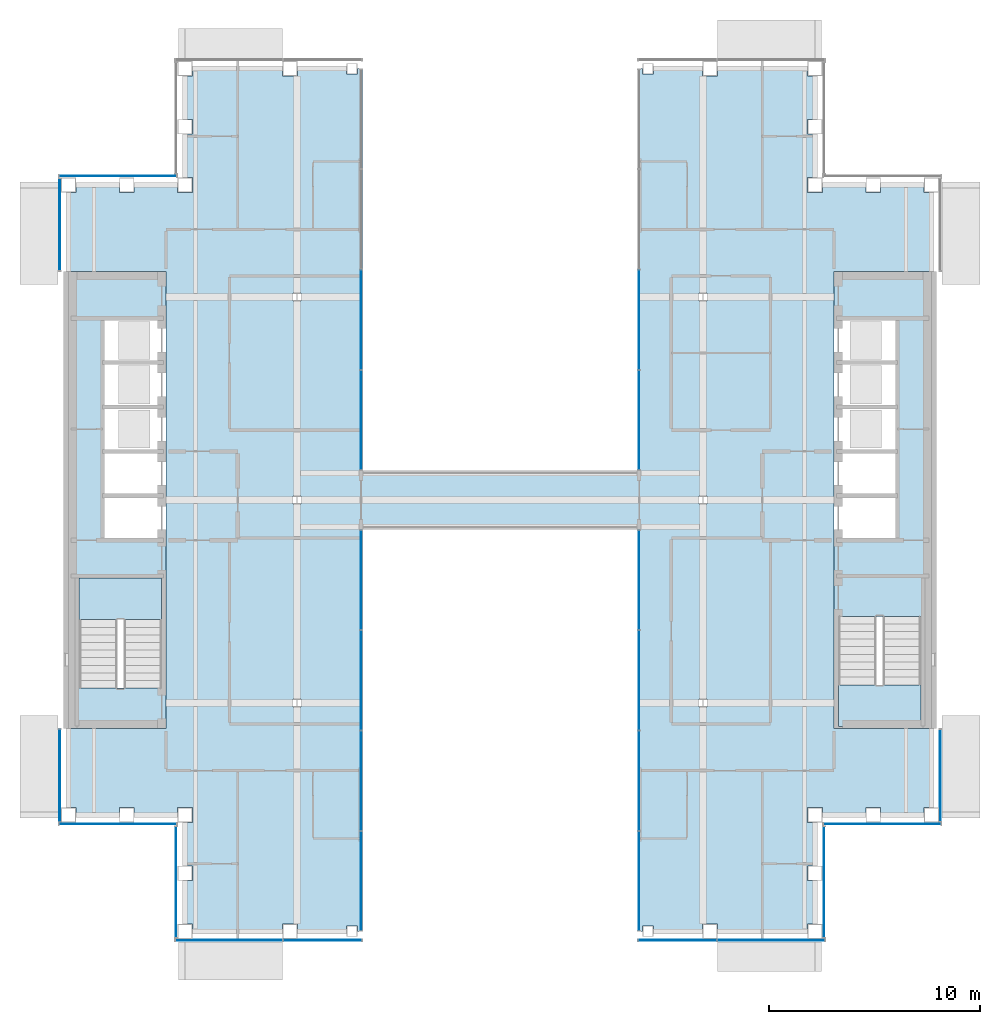
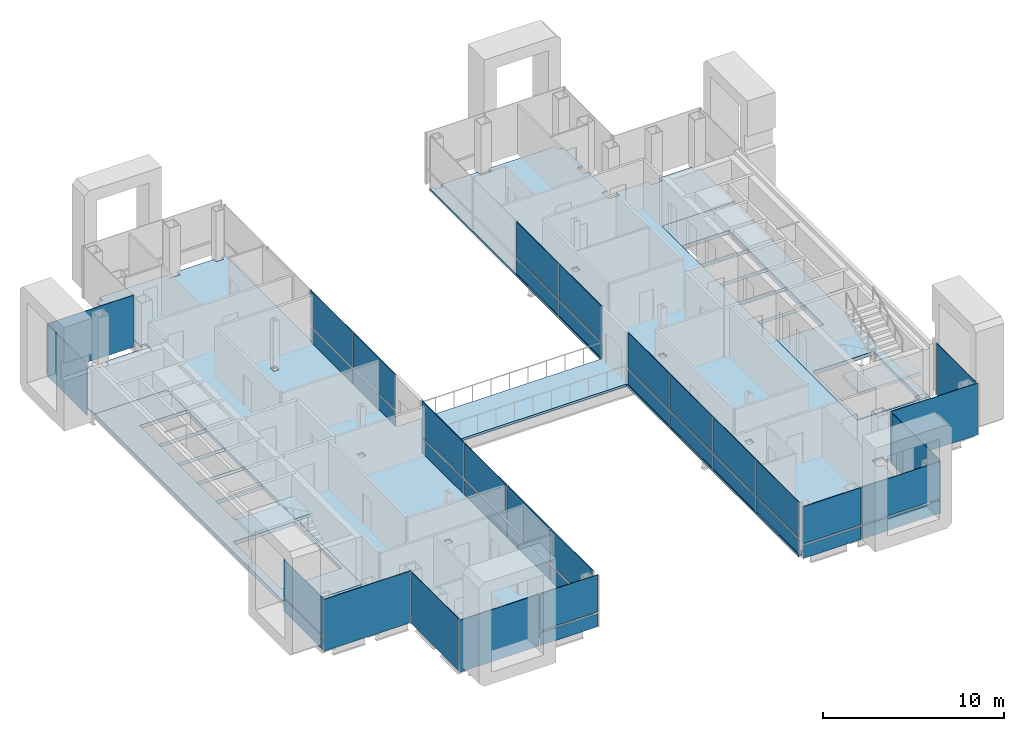
# One storey, part 9 of 17: 40 plates, 5 slabs, 16 elements without a shape of their own.
"""IFC4 building model written with IfcOpenShell, lengths in metres."""

from ifc_helpers import new_model, si_unit, direction, frame, origin, origin_2d, place, context, subcontext, project, spatial, polyline, rectangle, outline, extrude, material, layer, layer_set, type_object, element, aggregate, save


model = new_model("IFC4")

# Units and contexts
model_context = context("Model", 3, precision=1e-05, world=origin(), true_north=direction((0.0, 1.0)))
body_context = subcontext(model_context, "Body", "Model", "MODEL_VIEW")
ifc_project = project(units=[si_unit("LENGTHUNIT", "METRE"), si_unit("AREAUNIT", "SQUARE_METRE"), si_unit("VOLUMEUNIT", "CUBIC_METRE"), si_unit("PLANEANGLEUNIT", "RADIAN"), si_unit("MASSUNIT", "GRAM", prefix="KILO")], contexts=[model_context])

# Site, building, storey
site_placement = place(None, origin())
site = spatial("IfcSite", under=ifc_project, at=site_placement, CompositionType="ELEMENT")
building_placement = place(site_placement, origin())
building = spatial("IfcBuilding", under=site, at=building_placement, Name="Cobrizo Arcos Hotel Tower", CompositionType="ELEMENT")
storey_placement = place(building_placement, frame((0.0, 0.0, 226.0)))
storey = spatial("IfcBuildingStorey", under=building, at=storey_placement, Name="L59", CompositionType="ELEMENT", Elevation=226.0)

# Curtain wall, plate
ifc_material_1 = material(Name="Aluminium 6063-T6 anodised bronze", Category="aluminium")
curtain_wall_type_1 = type_object("IfcCurtainWallType", Name="CW-A guest facade", PredefinedType="NOTDEFINED", material=ifc_material_1)
curtain_wall_1_placement = place(storey_placement, origin())
curtain_wall_1 = element("IfcCurtainWall", 1, at=curtain_wall_1_placement, inside=storey, type_object=curtain_wall_type_1, Name="CW-A L59 S face", PredefinedType="NOTDEFINED")
ifc_material_2 = material(Name="Glass clear laminated low-e", Category="glass")
ifc_layer_1 = layer(ifc_material_2, 0.0400390625)
ifc_layer_set_1 = layer_set([ifc_layer_1], Name="CW-A glass panel")
plate_type_1 = type_object("IfcPlateType", Name="CW-A glass panel", PredefinedType="CURTAIN_PANEL", material=ifc_layer_set_1)
plate_1_placement = place(storey_placement, frame((-8.3984375, -20.824951171875, 0.990234375), z_axis=(0.0, 0.0, 1.0), x_axis=(1.0, 0.0, 0.0)))
plate_1 = element("IfcPlate", 2, at=plate_1_placement, type_object=plate_type_1, Name="CW-A glass panel 1929", PredefinedType="CURTAIN_PANEL", context=body_context, shape_type="SweptSolid", body=[
    extrude(rectangle(XDim=3.6767578125, YDim=0.0400390625, at=origin_2d()), origin(), (0.0, 0.0, 1.0), 2.510009765625),
])

# Curtain wall, plates
curtain_wall_2_placement = place(storey_placement, origin())
curtain_wall_2 = element("IfcCurtainWall", 3, at=curtain_wall_2_placement, inside=storey, type_object=curtain_wall_type_1, Name="CW-A L59 S face", PredefinedType="NOTDEFINED")
plate_2_placement = place(storey_placement, frame((8.3984375, -20.824951171875, 0.990234375), z_axis=(0.0, 0.0, 1.0), x_axis=(1.0, 0.0, 0.0)))
plate_2 = element("IfcPlate", 4, at=plate_2_placement, type_object=plate_type_1, Name="CW-A glass panel 1930", PredefinedType="CURTAIN_PANEL", context=body_context, shape_type="SweptSolid", body=[
    extrude(rectangle(XDim=3.6767578125, YDim=0.0400390625, at=origin_2d()), origin(), (0.0, 0.0, 1.0), 2.510009765625),
])
plate_3_placement = place(storey_placement, frame((12.818359375, -20.824951171875, 0.990234375), z_axis=(0.0, 0.0, 1.0), x_axis=(1.0, 0.0, 0.0)))
plate_3 = element("IfcPlate", 5, at=plate_3_placement, type_object=plate_type_1, Name="CW-A glass panel 1931", PredefinedType="CURTAIN_PANEL", context=body_context, shape_type="SweptSolid", body=[
    extrude(rectangle(XDim=5.043212890625, YDim=0.0400390625, at=origin_2d()), origin(), (0.0, 0.0, 1.0), 2.510009765625),
])

# Curtain wall, plate
curtain_wall_3_placement = place(storey_placement, origin())
curtain_wall_3 = element("IfcCurtainWall", 6, at=curtain_wall_3_placement, inside=storey, type_object=curtain_wall_type_1, Name="CW-A L59 W face", PredefinedType="NOTDEFINED")
plate_4_placement = place(storey_placement, frame((-20.824951171875, -13.02490234375, 0.990234375), z_axis=(0.0, 0.0, 1.0), x_axis=(0.0, -1.0, 0.0)))
plate_4 = element("IfcPlate", 7, at=plate_4_placement, type_object=plate_type_1, Name="CW-A glass panel 1945", PredefinedType="CURTAIN_PANEL", context=body_context, shape_type="SweptSolid", body=[
    extrude(rectangle(XDim=4.330078125, YDim=0.0400390625, at=origin_2d()), origin(), (0.0, 0.0, 1.0), 2.510009765625),
])

# Plate
ifc_material_3 = material(Name="Aluminium composite panel pale metal", Category="aluminium")
ifc_layer_2 = layer(ifc_material_3, 0.0400390625)
ifc_layer_set_2 = layer_set([ifc_layer_2], Name="CW-A spandrel panel")
plate_type_2 = type_object("IfcPlateType", Name="CW-A spandrel panel", PredefinedType="CURTAIN_PANEL", material=ifc_layer_set_2)
plate_5_placement = place(storey_placement, frame((-12.818359375, -20.824951171875, 0.0), z_axis=(0.0, 0.0, 1.0), x_axis=(1.0, 0.0, 0.0)))
plate_5 = element("IfcPlate", 8, at=plate_5_placement, type_object=plate_type_2, Name="CW-A spandrel panel 1928", PredefinedType="CURTAIN_PANEL", context=body_context, shape_type="SweptSolid", body=[
    extrude(rectangle(XDim=5.043212890625, YDim=0.0400390625, at=origin_2d()), origin(), (0.0, 0.0, 1.0), 3.5),
])

plate_6_placement = place(storey_placement, frame((-8.3984375, -20.824951171875, 0.0), z_axis=(0.0, 0.0, 1.0), x_axis=(1.0, 0.0, 0.0)))
plate_6 = element("IfcPlate", 9, at=plate_6_placement, type_object=plate_type_2, Name="CW-A spandrel panel 1929", PredefinedType="CURTAIN_PANEL", context=body_context, shape_type="SweptSolid", body=[
    extrude(rectangle(XDim=3.6767578125, YDim=0.0400390625, at=origin_2d()), origin(), (0.0, 0.0, 1.0), 0.8701171875),
])

aggregate(curtain_wall_1, [plate_5, plate_6, plate_1])

plate_7_placement = place(storey_placement, frame((8.3984375, -20.824951171875, 0.0), z_axis=(0.0, 0.0, 1.0), x_axis=(1.0, 0.0, 0.0)))
plate_7 = element("IfcPlate", 10, at=plate_7_placement, type_object=plate_type_2, Name="CW-A spandrel panel 1930", PredefinedType="CURTAIN_PANEL", context=body_context, shape_type="SweptSolid", body=[
    extrude(rectangle(XDim=3.6767578125, YDim=0.0400390625, at=origin_2d()), origin(), (0.0, 0.0, 1.0), 0.8701171875),
])

plate_8_placement = place(storey_placement, frame((12.818359375, -20.824951171875, 0.0), z_axis=(0.0, 0.0, 1.0), x_axis=(1.0, 0.0, 0.0)))
plate_8 = element("IfcPlate", 11, at=plate_8_placement, type_object=plate_type_2, Name="CW-A spandrel panel 1931", PredefinedType="CURTAIN_PANEL", context=body_context, shape_type="SweptSolid", body=[
    extrude(rectangle(XDim=5.043212890625, YDim=0.0400390625, at=origin_2d()), origin(), (0.0, 0.0, 1.0), 0.8701171875),
])

aggregate(curtain_wall_2, [plate_7, plate_2, plate_8, plate_3])

# Curtain wall, plate
curtain_wall_4_placement = place(storey_placement, origin())
curtain_wall_4 = element("IfcCurtainWall", 12, at=curtain_wall_4_placement, inside=storey, type_object=curtain_wall_type_1, Name="CW-A L59 E face", PredefinedType="NOTDEFINED")
plate_9_placement = place(storey_placement, frame((15.324951171875, -18.074951171875, 0.0), z_axis=(0.0, 0.0, 1.0), x_axis=(0.0, 1.0, 0.0)))
plate_9 = element("IfcPlate", 13, at=plate_9_placement, type_object=plate_type_2, Name="CW-A spandrel panel 1932", PredefinedType="CURTAIN_PANEL", context=body_context, shape_type="SweptSolid", body=[
    extrude(rectangle(XDim=5.22998046875, YDim=0.0400390625, at=origin_2d()), origin(), (0.0, 0.0, 1.0), 3.5),
])
aggregate(curtain_wall_4, [plate_9])

curtain_wall_5_placement = place(storey_placement, origin())
curtain_wall_5 = element("IfcCurtainWall", 14, at=curtain_wall_5_placement, inside=storey, type_object=curtain_wall_type_1, Name="CW-A L59 S face", PredefinedType="NOTDEFINED")
plate_10_placement = place(storey_placement, frame((18.074951171875, -15.324951171875, 0.0), z_axis=(0.0, 0.0, 1.0), x_axis=(1.0, 0.0, 0.0)))
plate_10 = element("IfcPlate", 15, at=plate_10_placement, type_object=plate_type_2, Name="CW-A spandrel panel 1933", PredefinedType="CURTAIN_PANEL", context=body_context, shape_type="SweptSolid", body=[
    extrude(rectangle(XDim=5.530029296875, YDim=0.0400390625, at=origin_2d()), origin(), (0.0, 0.0, 1.0), 3.5),
])
aggregate(curtain_wall_5, [plate_10])

curtain_wall_6_placement = place(storey_placement, origin())
curtain_wall_6 = element("IfcCurtainWall", 16, at=curtain_wall_6_placement, inside=storey, type_object=curtain_wall_type_1, Name="CW-A L59 E face", PredefinedType="NOTDEFINED")
plate_11_placement = place(storey_placement, frame((20.824951171875, -13.02490234375, 0.0), z_axis=(0.0, 0.0, 1.0), x_axis=(0.0, 1.0, 0.0)))
plate_11 = element("IfcPlate", 17, at=plate_11_placement, type_object=plate_type_2, Name="CW-A spandrel panel 1934", PredefinedType="CURTAIN_PANEL", context=body_context, shape_type="SweptSolid", body=[
    extrude(rectangle(XDim=4.330078125, YDim=0.0400390625, at=origin_2d()), origin(), (0.0, 0.0, 1.0), 3.5),
])
aggregate(curtain_wall_6, [plate_11])

curtain_wall_7_placement = place(storey_placement, origin())
curtain_wall_7 = element("IfcCurtainWall", 18, at=curtain_wall_7_placement, inside=storey, type_object=curtain_wall_type_1, Name="CW-A L59 N face", PredefinedType="NOTDEFINED")
plate_12_placement = place(storey_placement, frame((-18.074951171875, 15.324951171875, 0.0), z_axis=(0.0, 0.0, 1.0), x_axis=(-1.0, 0.0, 0.0)))
plate_12 = element("IfcPlate", 19, at=plate_12_placement, type_object=plate_type_2, Name="CW-A spandrel panel 1943", PredefinedType="CURTAIN_PANEL", context=body_context, shape_type="SweptSolid", body=[
    extrude(rectangle(XDim=5.530029296875, YDim=0.0400390625, at=origin_2d()), origin(), (0.0, 0.0, 1.0), 3.5),
])
aggregate(curtain_wall_7, [plate_12])

curtain_wall_8_placement = place(storey_placement, origin())
curtain_wall_8 = element("IfcCurtainWall", 20, at=curtain_wall_8_placement, inside=storey, type_object=curtain_wall_type_1, Name="CW-A L59 W face", PredefinedType="NOTDEFINED")
plate_13_placement = place(storey_placement, frame((-20.824951171875, 13.02490234375, 0.0), z_axis=(0.0, 0.0, 1.0), x_axis=(0.0, -1.0, 0.0)))
plate_13 = element("IfcPlate", 21, at=plate_13_placement, type_object=plate_type_2, Name="CW-A spandrel panel 1944", PredefinedType="CURTAIN_PANEL", context=body_context, shape_type="SweptSolid", body=[
    extrude(rectangle(XDim=4.330078125, YDim=0.0400390625, at=origin_2d()), origin(), (0.0, 0.0, 1.0), 3.5),
])
aggregate(curtain_wall_8, [plate_13])

# Plate
plate_14_placement = place(storey_placement, frame((-20.824951171875, -13.02490234375, 0.0), z_axis=(0.0, 0.0, 1.0), x_axis=(0.0, -1.0, 0.0)))
plate_14 = element("IfcPlate", 22, at=plate_14_placement, type_object=plate_type_2, Name="CW-A spandrel panel 1945", PredefinedType="CURTAIN_PANEL", context=body_context, shape_type="SweptSolid", body=[
    extrude(rectangle(XDim=4.330078125, YDim=0.0400390625, at=origin_2d()), origin(), (0.0, 0.0, 1.0), 0.8701171875),
])

aggregate(curtain_wall_3, [plate_14, plate_4])

# Curtain wall, plate
curtain_wall_9_placement = place(storey_placement, origin())
curtain_wall_9 = element("IfcCurtainWall", 23, at=curtain_wall_9_placement, inside=storey, type_object=curtain_wall_type_1, Name="CW-A L59 S face", PredefinedType="NOTDEFINED")
plate_15_placement = place(storey_placement, frame((-18.074951171875, -15.324951171875, 0.0), z_axis=(0.0, 0.0, 1.0), x_axis=(1.0, 0.0, 0.0)))
plate_15 = element("IfcPlate", 24, at=plate_15_placement, type_object=plate_type_2, Name="CW-A spandrel panel 1946", PredefinedType="CURTAIN_PANEL", context=body_context, shape_type="SweptSolid", body=[
    extrude(rectangle(XDim=5.530029296875, YDim=0.0400390625, at=origin_2d()), origin(), (0.0, 0.0, 1.0), 3.5),
])
aggregate(curtain_wall_9, [plate_15])

curtain_wall_10_placement = place(storey_placement, origin())
curtain_wall_10 = element("IfcCurtainWall", 25, at=curtain_wall_10_placement, inside=storey, type_object=curtain_wall_type_1, Name="CW-A L59 W face", PredefinedType="NOTDEFINED")
plate_16_placement = place(storey_placement, frame((-15.324951171875, -18.074951171875, 0.0), z_axis=(0.0, 0.0, 1.0), x_axis=(0.0, -1.0, 0.0)))
plate_16 = element("IfcPlate", 26, at=plate_16_placement, type_object=plate_type_2, Name="CW-A spandrel panel 1947", PredefinedType="CURTAIN_PANEL", context=body_context, shape_type="SweptSolid", body=[
    extrude(rectangle(XDim=5.22998046875, YDim=0.0400390625, at=origin_2d()), origin(), (0.0, 0.0, 1.0), 3.5),
])
aggregate(curtain_wall_10, [plate_16])

# Curtain wall, plates
curtain_wall_type_2 = type_object("IfcCurtainWallType", Name="CW-F void screen", PredefinedType="NOTDEFINED", material=ifc_material_1)
curtain_wall_11_placement = place(storey_placement, origin())
curtain_wall_11 = element("IfcCurtainWall", 27, at=curtain_wall_11_placement, inside=storey, type_object=curtain_wall_type_2, Name="CW-F L59 void screen C", PredefinedType="NOTDEFINED")
ifc_layer_3 = layer(ifc_material_2, 0.0400390625)
ifc_layer_set_3 = layer_set([ifc_layer_3], Name="CW-F glass panel")
plate_type_3 = type_object("IfcPlateType", Name="CW-F glass panel", PredefinedType="CURTAIN_PANEL", material=ifc_layer_set_3)
plate_17_placement = place(storey_placement, frame((6.574951171875, -18.010009765625, 0.0), z_axis=(0.0, 0.0, 1.0), x_axis=(0.0, 1.0, 0.0)))
plate_17 = element("IfcPlate", 28, at=plate_17_placement, type_object=plate_type_3, Name="CW-F glass panel 2716", PredefinedType="CURTAIN_PANEL", context=body_context, shape_type="SweptSolid", body=[
    extrude(rectangle(XDim=4.659912109375, YDim=0.0400390625, at=origin_2d()), origin(), (0.0, 0.0, 1.0), 0.989990234375),
])
plate_18_placement = place(storey_placement, frame((6.574951171875, -18.010009765625, 1.10986328125), z_axis=(0.0, 0.0, 1.0), x_axis=(0.0, 1.0, 0.0)))
plate_18 = element("IfcPlate", 29, at=plate_18_placement, type_object=plate_type_3, Name="CW-F glass panel 2716", PredefinedType="CURTAIN_PANEL", context=body_context, shape_type="SweptSolid", body=[
    extrude(rectangle(XDim=4.659912109375, YDim=0.0400390625, at=origin_2d()), origin(), (0.0, 0.0, 1.0), 2.389892578125),
])
plate_19_placement = place(storey_placement, frame((6.574951171875, -13.27490234375, 0.0), z_axis=(0.0, 0.0, 1.0), x_axis=(0.0, 1.0, 0.0)))
plate_19 = element("IfcPlate", 30, at=plate_19_placement, type_object=plate_type_3, Name="CW-F glass panel 2717", PredefinedType="CURTAIN_PANEL", context=body_context, shape_type="SweptSolid", body=[
    extrude(rectangle(XDim=4.68994140625, YDim=0.0400390625, at=origin_2d()), origin(), (0.0, 0.0, 1.0), 0.989990234375),
])
plate_20_placement = place(storey_placement, frame((6.574951171875, -13.27490234375, 1.10986328125), z_axis=(0.0, 0.0, 1.0), x_axis=(0.0, 1.0, 0.0)))
plate_20 = element("IfcPlate", 31, at=plate_20_placement, type_object=plate_type_3, Name="CW-F glass panel 2717", PredefinedType="CURTAIN_PANEL", context=body_context, shape_type="SweptSolid", body=[
    extrude(rectangle(XDim=4.68994140625, YDim=0.0400390625, at=origin_2d()), origin(), (0.0, 0.0, 1.0), 2.389892578125),
])
plate_21_placement = place(storey_placement, frame((6.574951171875, -8.52490234375, 0.0), z_axis=(0.0, 0.0, 1.0), x_axis=(0.0, 1.0, 0.0)))
plate_21 = element("IfcPlate", 32, at=plate_21_placement, type_object=plate_type_3, Name="CW-F glass panel 2718", PredefinedType="CURTAIN_PANEL", context=body_context, shape_type="SweptSolid", body=[
    extrude(rectangle(XDim=4.68994140625, YDim=0.0400390625, at=origin_2d()), origin(), (0.0, 0.0, 1.0), 0.989990234375),
])
plate_22_placement = place(storey_placement, frame((6.574951171875, -8.52490234375, 1.10986328125), z_axis=(0.0, 0.0, 1.0), x_axis=(0.0, 1.0, 0.0)))
plate_22 = element("IfcPlate", 33, at=plate_22_placement, type_object=plate_type_3, Name="CW-F glass panel 2718", PredefinedType="CURTAIN_PANEL", context=body_context, shape_type="SweptSolid", body=[
    extrude(rectangle(XDim=4.68994140625, YDim=0.0400390625, at=origin_2d()), origin(), (0.0, 0.0, 1.0), 2.389892578125),
])
plate_23_placement = place(storey_placement, frame((6.574951171875, -3.7900390625, 0.0), z_axis=(0.0, 0.0, 1.0), x_axis=(0.0, 1.0, 0.0)))
plate_23 = element("IfcPlate", 34, at=plate_23_placement, type_object=plate_type_3, Name="CW-F glass panel 2719", PredefinedType="CURTAIN_PANEL", context=body_context, shape_type="SweptSolid", body=[
    extrude(rectangle(XDim=4.659912109375, YDim=0.0400390625, at=origin_2d()), origin(), (0.0, 0.0, 1.0), 0.989990234375),
])
plate_24_placement = place(storey_placement, frame((6.574951171875, -3.7900390625, 1.10986328125), z_axis=(0.0, 0.0, 1.0), x_axis=(0.0, 1.0, 0.0)))
plate_24 = element("IfcPlate", 35, at=plate_24_placement, type_object=plate_type_3, Name="CW-F glass panel 2719", PredefinedType="CURTAIN_PANEL", context=body_context, shape_type="SweptSolid", body=[
    extrude(rectangle(XDim=4.659912109375, YDim=0.0400390625, at=origin_2d()), origin(), (0.0, 0.0, 1.0), 2.389892578125),
])
aggregate(curtain_wall_11, [plate_17, plate_18, plate_19, plate_20, plate_21, plate_22, plate_23, plate_24])

curtain_wall_12_placement = place(storey_placement, origin())
curtain_wall_12 = element("IfcCurtainWall", 36, at=curtain_wall_12_placement, inside=storey, type_object=curtain_wall_type_2, Name="CW-F L59 void screen C", PredefinedType="NOTDEFINED")
plate_25_placement = place(storey_placement, frame((6.574951171875, 3.7900390625, 0.0), z_axis=(0.0, 0.0, 1.0), x_axis=(0.0, 1.0, 0.0)))
plate_25 = element("IfcPlate", 37, at=plate_25_placement, type_object=plate_type_3, Name="CW-F glass panel 2720", PredefinedType="CURTAIN_PANEL", context=body_context, shape_type="SweptSolid", body=[
    extrude(rectangle(XDim=4.659912109375, YDim=0.0400390625, at=origin_2d()), origin(), (0.0, 0.0, 1.0), 0.989990234375),
])
plate_26_placement = place(storey_placement, frame((6.574951171875, 3.7900390625, 1.10986328125), z_axis=(0.0, 0.0, 1.0), x_axis=(0.0, 1.0, 0.0)))
plate_26 = element("IfcPlate", 38, at=plate_26_placement, type_object=plate_type_3, Name="CW-F glass panel 2720", PredefinedType="CURTAIN_PANEL", context=body_context, shape_type="SweptSolid", body=[
    extrude(rectangle(XDim=4.659912109375, YDim=0.0400390625, at=origin_2d()), origin(), (0.0, 0.0, 1.0), 2.389892578125),
])
plate_27_placement = place(storey_placement, frame((6.574951171875, 8.52490234375, 0.0), z_axis=(0.0, 0.0, 1.0), x_axis=(0.0, 1.0, 0.0)))
plate_27 = element("IfcPlate", 39, at=plate_27_placement, type_object=plate_type_3, Name="CW-F glass panel 2721", PredefinedType="CURTAIN_PANEL", context=body_context, shape_type="SweptSolid", body=[
    extrude(rectangle(XDim=4.68994140625, YDim=0.0400390625, at=origin_2d()), origin(), (0.0, 0.0, 1.0), 0.989990234375),
])
plate_28_placement = place(storey_placement, frame((6.574951171875, 8.52490234375, 1.10986328125), z_axis=(0.0, 0.0, 1.0), x_axis=(0.0, 1.0, 0.0)))
plate_28 = element("IfcPlate", 40, at=plate_28_placement, type_object=plate_type_3, Name="CW-F glass panel 2721", PredefinedType="CURTAIN_PANEL", context=body_context, shape_type="SweptSolid", body=[
    extrude(rectangle(XDim=4.68994140625, YDim=0.0400390625, at=origin_2d()), origin(), (0.0, 0.0, 1.0), 2.389892578125),
])
aggregate(curtain_wall_12, [plate_25, plate_26, plate_27, plate_28])

curtain_wall_13_placement = place(storey_placement, origin())
curtain_wall_13 = element("IfcCurtainWall", 41, at=curtain_wall_13_placement, inside=storey, type_object=curtain_wall_type_2, Name="CW-F L59 void screen C", PredefinedType="NOTDEFINED")
plate_29_placement = place(storey_placement, frame((-6.574951171875, 8.52490234375, 0.0), z_axis=(0.0, 0.0, 1.0), x_axis=(0.0, -1.0, 0.0)))
plate_29 = element("IfcPlate", 42, at=plate_29_placement, type_object=plate_type_3, Name="CW-F glass panel 2726", PredefinedType="CURTAIN_PANEL", context=body_context, shape_type="SweptSolid", body=[
    extrude(rectangle(XDim=4.68994140625, YDim=0.0400390625, at=origin_2d()), origin(), (0.0, 0.0, 1.0), 0.989990234375),
])
plate_30_placement = place(storey_placement, frame((-6.574951171875, 8.52490234375, 1.10986328125), z_axis=(0.0, 0.0, 1.0), x_axis=(0.0, -1.0, 0.0)))
plate_30 = element("IfcPlate", 43, at=plate_30_placement, type_object=plate_type_3, Name="CW-F glass panel 2726", PredefinedType="CURTAIN_PANEL", context=body_context, shape_type="SweptSolid", body=[
    extrude(rectangle(XDim=4.68994140625, YDim=0.0400390625, at=origin_2d()), origin(), (0.0, 0.0, 1.0), 2.389892578125),
])
plate_31_placement = place(storey_placement, frame((-6.574951171875, 3.7900390625, 0.0), z_axis=(0.0, 0.0, 1.0), x_axis=(0.0, -1.0, 0.0)))
plate_31 = element("IfcPlate", 44, at=plate_31_placement, type_object=plate_type_3, Name="CW-F glass panel 2727", PredefinedType="CURTAIN_PANEL", context=body_context, shape_type="SweptSolid", body=[
    extrude(rectangle(XDim=4.659912109375, YDim=0.0400390625, at=origin_2d()), origin(), (0.0, 0.0, 1.0), 0.989990234375),
])
plate_32_placement = place(storey_placement, frame((-6.574951171875, 3.7900390625, 1.10986328125), z_axis=(0.0, 0.0, 1.0), x_axis=(0.0, -1.0, 0.0)))
plate_32 = element("IfcPlate", 45, at=plate_32_placement, type_object=plate_type_3, Name="CW-F glass panel 2727", PredefinedType="CURTAIN_PANEL", context=body_context, shape_type="SweptSolid", body=[
    extrude(rectangle(XDim=4.659912109375, YDim=0.0400390625, at=origin_2d()), origin(), (0.0, 0.0, 1.0), 2.389892578125),
])
aggregate(curtain_wall_13, [plate_29, plate_30, plate_31, plate_32])

curtain_wall_14_placement = place(storey_placement, origin())
curtain_wall_14 = element("IfcCurtainWall", 46, at=curtain_wall_14_placement, inside=storey, type_object=curtain_wall_type_2, Name="CW-F L59 void screen C", PredefinedType="NOTDEFINED")
plate_33_placement = place(storey_placement, frame((-6.574951171875, -3.7900390625, 0.0), z_axis=(0.0, 0.0, 1.0), x_axis=(0.0, -1.0, 0.0)))
plate_33 = element("IfcPlate", 47, at=plate_33_placement, type_object=plate_type_3, Name="CW-F glass panel 2728", PredefinedType="CURTAIN_PANEL", context=body_context, shape_type="SweptSolid", body=[
    extrude(rectangle(XDim=4.659912109375, YDim=0.0400390625, at=origin_2d()), origin(), (0.0, 0.0, 1.0), 0.989990234375),
])
plate_34_placement = place(storey_placement, frame((-6.574951171875, -3.7900390625, 1.10986328125), z_axis=(0.0, 0.0, 1.0), x_axis=(0.0, -1.0, 0.0)))
plate_34 = element("IfcPlate", 48, at=plate_34_placement, type_object=plate_type_3, Name="CW-F glass panel 2728", PredefinedType="CURTAIN_PANEL", context=body_context, shape_type="SweptSolid", body=[
    extrude(rectangle(XDim=4.659912109375, YDim=0.0400390625, at=origin_2d()), origin(), (0.0, 0.0, 1.0), 2.389892578125),
])
plate_35_placement = place(storey_placement, frame((-6.574951171875, -8.52490234375, 0.0), z_axis=(0.0, 0.0, 1.0), x_axis=(0.0, -1.0, 0.0)))
plate_35 = element("IfcPlate", 49, at=plate_35_placement, type_object=plate_type_3, Name="CW-F glass panel 2729", PredefinedType="CURTAIN_PANEL", context=body_context, shape_type="SweptSolid", body=[
    extrude(rectangle(XDim=4.68994140625, YDim=0.0400390625, at=origin_2d()), origin(), (0.0, 0.0, 1.0), 0.989990234375),
])
plate_36_placement = place(storey_placement, frame((-6.574951171875, -8.52490234375, 1.10986328125), z_axis=(0.0, 0.0, 1.0), x_axis=(0.0, -1.0, 0.0)))
plate_36 = element("IfcPlate", 50, at=plate_36_placement, type_object=plate_type_3, Name="CW-F glass panel 2729", PredefinedType="CURTAIN_PANEL", context=body_context, shape_type="SweptSolid", body=[
    extrude(rectangle(XDim=4.68994140625, YDim=0.0400390625, at=origin_2d()), origin(), (0.0, 0.0, 1.0), 2.389892578125),
])
plate_37_placement = place(storey_placement, frame((-6.574951171875, -13.27490234375, 0.0), z_axis=(0.0, 0.0, 1.0), x_axis=(0.0, -1.0, 0.0)))
plate_37 = element("IfcPlate", 51, at=plate_37_placement, type_object=plate_type_3, Name="CW-F glass panel 2730", PredefinedType="CURTAIN_PANEL", context=body_context, shape_type="SweptSolid", body=[
    extrude(rectangle(XDim=4.68994140625, YDim=0.0400390625, at=origin_2d()), origin(), (0.0, 0.0, 1.0), 0.989990234375),
])
plate_38_placement = place(storey_placement, frame((-6.574951171875, -13.27490234375, 1.10986328125), z_axis=(0.0, 0.0, 1.0), x_axis=(0.0, -1.0, 0.0)))
plate_38 = element("IfcPlate", 52, at=plate_38_placement, type_object=plate_type_3, Name="CW-F glass panel 2730", PredefinedType="CURTAIN_PANEL", context=body_context, shape_type="SweptSolid", body=[
    extrude(rectangle(XDim=4.68994140625, YDim=0.0400390625, at=origin_2d()), origin(), (0.0, 0.0, 1.0), 2.389892578125),
])
plate_39_placement = place(storey_placement, frame((-6.574951171875, -18.010009765625, 0.0), z_axis=(0.0, 0.0, 1.0), x_axis=(0.0, -1.0, 0.0)))
plate_39 = element("IfcPlate", 53, at=plate_39_placement, type_object=plate_type_3, Name="CW-F glass panel 2731", PredefinedType="CURTAIN_PANEL", context=body_context, shape_type="SweptSolid", body=[
    extrude(rectangle(XDim=4.659912109375, YDim=0.0400390625, at=origin_2d()), origin(), (0.0, 0.0, 1.0), 0.989990234375),
])
plate_40_placement = place(storey_placement, frame((-6.574951171875, -18.010009765625, 1.10986328125), z_axis=(0.0, 0.0, 1.0), x_axis=(0.0, -1.0, 0.0)))
plate_40 = element("IfcPlate", 54, at=plate_40_placement, type_object=plate_type_3, Name="CW-F glass panel 2731", PredefinedType="CURTAIN_PANEL", context=body_context, shape_type="SweptSolid", body=[
    extrude(rectangle(XDim=4.659912109375, YDim=0.0400390625, at=origin_2d()), origin(), (0.0, 0.0, 1.0), 2.389892578125),
])
aggregate(curtain_wall_14, [plate_33, plate_34, plate_35, plate_36, plate_37, plate_38, plate_39, plate_40])

# Slabs
ifc_material_4 = material(Name="Concrete f'c 35 MPa", Category="concrete")
ifc_layer_4 = layer(ifc_material_4, 0.14990234375)
ifc_layer_set_4 = layer_set([ifc_layer_4], Name="Composite floor slab 150 f'c 35")
slab_type_1 = type_object("IfcSlabType", Name="Composite floor slab 150 f'c 35", PredefinedType="FLOOR", material=ifc_layer_set_4)
slab_1_placement = place(storey_placement, frame((0.0, 0.0, -0.14990234375)))
element("IfcSlab", 55, at=slab_1_placement, inside=storey, type_object=slab_type_1, Name="Floor slab S5, L59, no. 01", PredefinedType="FLOOR", context=body_context, shape_type="SweptSolid", body=[
    extrude(outline(polyline([(17.300048828125, 14.89990234375), (17.300048828125, 14.550048828125), (18.0, 14.550048828125), (18.0, 14.89990234375), (20.050048828125, 14.89990234375), (20.050048828125, 14.550048828125), (20.39990234375, 14.550048828125), (20.39990234375, 10.800048828125), (15.800048828125, 10.800048828125), (15.800048828125, -10.800048828125), (20.39990234375, -10.800048828125), (20.39990234375, -14.550048828125), (20.050048828125, -14.550048828125), (20.050048828125, -14.89990234375), (18.0, -14.89990234375), (18.0, -14.550048828125), (17.300048828125, -14.550048828125), (17.300048828125, -14.89990234375), (15.25, -14.89990234375), (15.25, -14.550048828125), (14.550048828125, -14.550048828125), (14.550048828125, -15.25), (14.89990234375, -15.25), (14.89990234375, -17.300048828125), (14.550048828125, -17.300048828125), (14.550048828125, -18.0), (14.89990234375, -18.0), (14.89990234375, -20.050048828125), (14.550048828125, -20.050048828125), (14.550048828125, -20.39990234375), (10.282958984375, -20.39990234375), (10.282958984375, -20.050048828125), (9.5830078125, -20.050048828125), (9.5830078125, -20.39990234375), (7.25, -20.39990234375), (7.25, -20.14990234375), (6.75, -20.14990234375), (6.75, -20.39990234375), (6.5, -20.39990234375), (6.5, -1.39990234375), (-6.5, -1.39990234375), (-6.5, -20.39990234375), (-6.75, -20.39990234375), (-6.75, -20.14990234375), (-7.25, -20.14990234375), (-7.25, -20.39990234375), (-9.5830078125, -20.39990234375), (-9.5830078125, -20.050048828125), (-10.282958984375, -20.050048828125), (-10.282958984375, -20.39990234375), (-14.550048828125, -20.39990234375), (-14.550048828125, -20.050048828125), (-14.89990234375, -20.050048828125), (-14.89990234375, -18.0), (-14.550048828125, -18.0), (-14.550048828125, -17.300048828125), (-14.89990234375, -17.300048828125), (-14.89990234375, -15.25), (-14.550048828125, -15.25), (-14.550048828125, -14.550048828125), (-15.25, -14.550048828125), (-15.25, -14.89990234375), (-17.300048828125, -14.89990234375), (-17.300048828125, -14.550048828125), (-18.0, -14.550048828125), (-18.0, -14.89990234375), (-20.050048828125, -14.89990234375), (-20.050048828125, -14.550048828125), (-20.39990234375, -14.550048828125), (-20.39990234375, -10.800048828125), (-15.800048828125, -10.800048828125), (-15.800048828125, 10.800048828125), (-20.39990234375, 10.800048828125), (-20.39990234375, 14.550048828125), (-20.050048828125, 14.550048828125), (-20.050048828125, 14.89990234375), (-18.0, 14.89990234375), (-18.0, 14.550048828125), (-17.300048828125, 14.550048828125), (-17.300048828125, 14.89990234375), (-15.25, 14.89990234375), (-15.25, 14.550048828125), (-14.550048828125, 14.550048828125), (-14.550048828125, 15.25), (-14.89990234375, 15.25), (-14.89990234375, 17.300048828125), (-14.550048828125, 17.300048828125), (-14.550048828125, 18.0), (-14.89990234375, 18.0), (-14.89990234375, 20.050048828125), (-14.550048828125, 20.050048828125), (-14.550048828125, 20.39990234375), (-10.282958984375, 20.39990234375), (-10.282958984375, 20.050048828125), (-9.5830078125, 20.050048828125), (-9.5830078125, 20.39990234375), (-7.25, 20.39990234375), (-7.25, 20.14990234375), (-6.75, 20.14990234375), (-6.75, 20.39990234375), (-6.5, 20.39990234375), (-6.5, 1.39990234375), (6.5, 1.39990234375), (6.5, 20.39990234375), (6.75, 20.39990234375), (6.75, 20.14990234375), (7.25, 20.14990234375), (7.25, 20.39990234375), (9.5830078125, 20.39990234375), (9.5830078125, 20.050048828125), (10.282958984375, 20.050048828125), (10.282958984375, 20.39990234375), (14.550048828125, 20.39990234375), (14.550048828125, 20.050048828125), (14.89990234375, 20.050048828125), (14.89990234375, 18.0), (14.550048828125, 18.0), (14.550048828125, 17.300048828125), (14.89990234375, 17.300048828125), (14.89990234375, 15.25), (14.550048828125, 15.25), (14.550048828125, 14.550048828125), (15.25, 14.550048828125), (15.25, 14.89990234375), (17.300048828125, 14.89990234375)]), holes=[polyline([(-9.78662109375, -9.78662109375), (-9.413330078125, -9.78662109375), (-9.413330078125, -9.413330078125), (-9.78662109375, -9.413330078125), (-9.78662109375, -9.78662109375)]), polyline([(-9.413330078125, -0.186767578125), (-9.413330078125, 0.186767578125), (-9.78662109375, 0.186767578125), (-9.78662109375, -0.186767578125), (-9.413330078125, -0.186767578125)]), polyline([(-9.413330078125, 9.413330078125), (-9.413330078125, 9.78662109375), (-9.78662109375, 9.78662109375), (-9.78662109375, 9.413330078125), (-9.413330078125, 9.413330078125)]), polyline([(9.413330078125, -9.78662109375), (9.78662109375, -9.78662109375), (9.78662109375, -9.413330078125), (9.413330078125, -9.413330078125), (9.413330078125, -9.78662109375)]), polyline([(9.413330078125, -0.186767578125), (9.78662109375, -0.186767578125), (9.78662109375, 0.186767578125), (9.413330078125, 0.186767578125), (9.413330078125, -0.186767578125)]), polyline([(9.78662109375, 9.413330078125), (9.78662109375, 9.78662109375), (9.413330078125, 9.78662109375), (9.413330078125, 9.413330078125), (9.78662109375, 9.413330078125)])]), origin(), (0.0, 0.0, 1.0), 0.14990234375),
])
ifc_material_5 = material(Name="Concrete f'c 40 MPa", Category="concrete")
ifc_layer_5 = layer(ifc_material_5, 0.25)
ifc_layer_set_5 = layer_set([ifc_layer_5], Name="RC core floor slab 250 f'c 40")
slab_type_2 = type_object("IfcSlabType", Name="RC core floor slab 250 f'c 40", PredefinedType="FLOOR", material=ifc_layer_set_5)
slab_2_placement = place(storey_placement, frame((0.0, 0.0, -0.25)))
element("IfcSlab", 56, at=slab_2_placement, inside=storey, type_object=slab_type_2, Name="Core floor slab CS7, east core, L59", PredefinedType="FLOOR", context=body_context, shape_type="SweptSolid", body=[
    extrude(outline(polyline([(15.800048828125, 10.800048828125), (20.39990234375, 10.800048828125), (20.39990234375, -10.800048828125), (15.800048828125, -10.800048828125), (15.800048828125, 10.800048828125)]), holes=[polyline([(19.89794921875, -10.697998046875), (19.89794921875, -5.501953125), (16.001953125, -5.501953125), (16.001953125, -10.697998046875), (19.89794921875, -10.697998046875)]), polyline([(15.802001953125, 0.197998046875), (15.802001953125, -1.89794921875), (18.798095703125, -1.89794921875), (18.798095703125, 0.197998046875), (15.802001953125, 0.197998046875)]), polyline([(15.802001953125, 2.298095703125), (15.802001953125, 0.201904296875), (18.798095703125, 0.201904296875), (18.798095703125, 2.298095703125), (15.802001953125, 2.298095703125)]), polyline([(15.802001953125, 4.39794921875), (15.802001953125, 2.302001953125), (18.798095703125, 2.302001953125), (18.798095703125, 4.39794921875), (15.802001953125, 4.39794921875)]), polyline([(18.798095703125, 6.498046875), (15.802001953125, 6.498046875), (15.802001953125, 4.402099609375), (18.798095703125, 4.402099609375), (18.798095703125, 6.498046875)]), polyline([(18.798095703125, 8.597900390625), (15.802001953125, 8.597900390625), (15.802001953125, 6.501953125), (18.798095703125, 6.501953125), (18.798095703125, 8.597900390625)])]), origin(), (0.0, 0.0, 1.0), 0.25),
])
slab_3_placement = place(storey_placement, frame((0.0, 0.0, -0.25)))
element("IfcSlab", 57, at=slab_3_placement, inside=storey, type_object=slab_type_2, Name="Core floor slab CS7, west core, L59", PredefinedType="FLOOR", context=body_context, shape_type="SweptSolid", body=[
    extrude(outline(polyline([(-20.39990234375, 10.800048828125), (-15.800048828125, 10.800048828125), (-15.800048828125, -10.800048828125), (-20.39990234375, -10.800048828125), (-20.39990234375, 10.800048828125)]), holes=[polyline([(-19.89794921875, -3.701904296875), (-19.89794921875, -8.89794921875), (-16.001953125, -8.89794921875), (-16.001953125, -3.701904296875), (-19.89794921875, -3.701904296875)]), polyline([(-18.798095703125, 0.197998046875), (-18.798095703125, -1.89794921875), (-15.802001953125, -1.89794921875), (-15.802001953125, 0.197998046875), (-18.798095703125, 0.197998046875)]), polyline([(-18.798095703125, 2.298095703125), (-18.798095703125, 0.201904296875), (-15.802001953125, 0.201904296875), (-15.802001953125, 2.298095703125), (-18.798095703125, 2.298095703125)]), polyline([(-18.798095703125, 4.39794921875), (-18.798095703125, 2.302001953125), (-15.802001953125, 2.302001953125), (-15.802001953125, 4.39794921875), (-18.798095703125, 4.39794921875)]), polyline([(-15.802001953125, 6.498046875), (-18.798095703125, 6.498046875), (-18.798095703125, 4.402099609375), (-15.802001953125, 4.402099609375), (-15.802001953125, 6.498046875)]), polyline([(-15.802001953125, 8.597900390625), (-18.798095703125, 8.597900390625), (-18.798095703125, 6.501953125), (-15.802001953125, 6.501953125), (-15.802001953125, 8.597900390625)])]), origin(), (0.0, 0.0, 1.0), 0.25),
])

# Stair, slab
stair_type = type_object("IfcStairType", Name="Exit stair", PredefinedType="HALF_TURN_STAIR", material=ifc_material_5)
stair_1_placement = place(storey_placement, origin())
stair_1 = element("IfcStair", 58, at=stair_1_placement, inside=storey, type_object=stair_type, Name="L59 Exit stair ST-W", PredefinedType="HALF_TURN_STAIR")
ifc_layer_6 = layer(ifc_material_5, 0.199951171875)
ifc_layer_set_6 = layer_set([ifc_layer_6], Name="Stair landing")
slab_type_3 = type_object("IfcSlabType", Name="Stair landing", PredefinedType="LANDING", material=ifc_layer_set_6)
slab_4_placement = place(storey_placement, frame((0.0, 0.0, 1.550048828125)))
slab_4 = element("IfcSlab", 59, at=slab_4_placement, type_object=slab_type_3, Name="ST-W landing 1", PredefinedType="LANDING", context=body_context, shape_type="SweptSolid", body=[
    extrude(outline(polyline([(-16.0, -5.659912109375), (-16.0, -3.699951171875), (-19.89990234375, -3.699951171875), (-19.89990234375, -5.659912109375), (-16.0, -5.659912109375)])), origin(), (0.0, 0.0, 1.0), 0.199951171875),
])
aggregate(stair_1, [slab_4])

stair_2_placement = place(storey_placement, origin())
stair_2 = element("IfcStair", 60, at=stair_2_placement, inside=storey, type_object=stair_type, Name="L59 Exit stair ST-E", PredefinedType="HALF_TURN_STAIR")
slab_5_placement = place(storey_placement, frame((0.0, 0.0, 1.550048828125)))
slab_5 = element("IfcSlab", 61, at=slab_5_placement, type_object=slab_type_3, Name="ST-E landing 1", PredefinedType="LANDING", context=body_context, shape_type="SweptSolid", body=[
    extrude(outline(polyline([(16.0, -8.739990234375), (16.0, -10.699951171875), (19.89990234375, -10.699951171875), (19.89990234375, -8.739990234375), (16.0, -8.739990234375)])), origin(), (0.0, 0.0, 1.0), 0.199951171875),
])
aggregate(stair_2, [slab_5])

save(model, "model.ifc")
